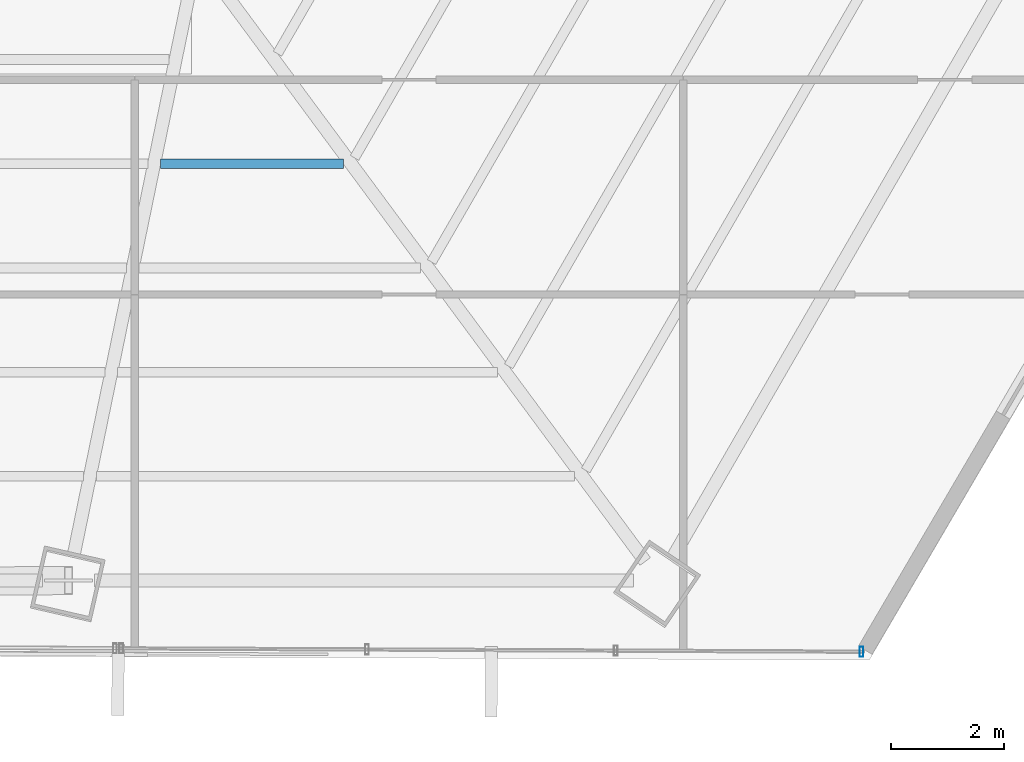
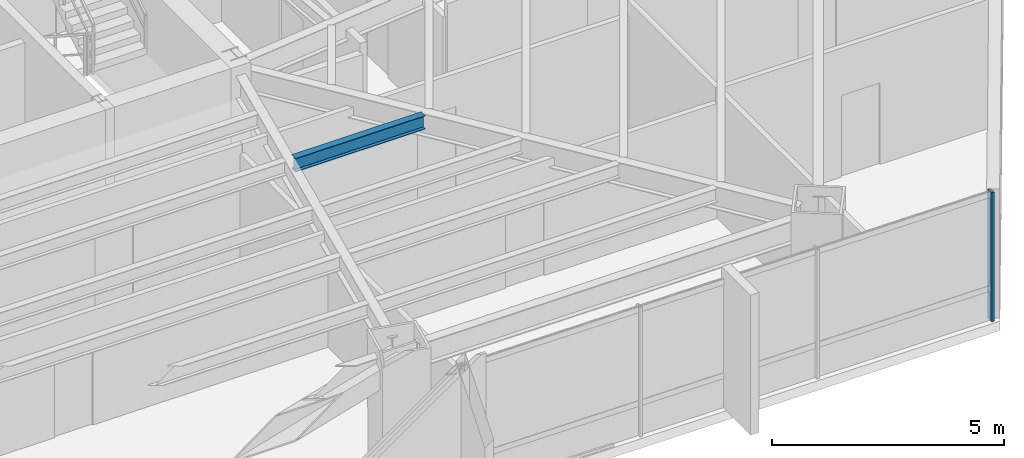
# One storey, part 17 of 37: 1 beam, 1 member, 1 element without a shape of its own.
"""IFC4 building model written with IfcOpenShell, lengths in metres."""

from ifc_helpers import new_model, si_unit, direction, frame, origin, origin_2d, place, context, subcontext, project, spatial, hollow_rectangle, i_section, extrude, source, transform, mapped, material, material_profile, profile_set, type_object, type_shapes, element, aggregate, save


model = new_model("IFC4")

# Units and contexts
model_context = context("Model", 3, precision=1e-05, world=origin(), true_north=direction((0.0, 1.0)))
body_context = subcontext(model_context, "Body", "Model", "MODEL_VIEW")
ifc_project = project(units=[si_unit("LENGTHUNIT", "METRE"), si_unit("AREAUNIT", "SQUARE_METRE"), si_unit("VOLUMEUNIT", "CUBIC_METRE"), si_unit("PLANEANGLEUNIT", "RADIAN"), si_unit("MASSUNIT", "GRAM", prefix="KILO")], contexts=[model_context])

# Site, building, storey
site_placement = place(None, origin())
site = spatial("IfcSite", under=ifc_project, at=site_placement, CompositionType="ELEMENT")
building_placement = place(site_placement, origin())
building = spatial("IfcBuilding", under=site, at=building_placement, Name="Caelisora Broadcast Tower", CompositionType="ELEMENT")
storey_placement = place(building_placement, frame((0.0, 0.0, 101.75)))
storey = spatial("IfcBuildingStorey", under=building, at=storey_placement, Name="L26", CompositionType="ELEMENT", Elevation=101.75)

# Beam
ifc_material_1 = material(Name="Steel Grade 350 (AS/NZS 3679.1)", Category="steel")
ifc_material_profile_1 = material_profile(ifc_material_1, i_section(OverallWidth=0.172119140625, OverallDepth=0.358642578125, WebThickness=0.008056640625, FlangeThickness=0.012939453125, at=origin_2d()), Name="Steel Grade 350 (AS/NZS 3679.1)")
ifc_profile_set_1 = profile_set([ifc_material_profile_1], Name="Steel Grade 350 (AS/NZS 3679.1)")
beam_type = type_object("IfcBeamType", Name="SB02", PredefinedType="JOIST", material=ifc_profile_set_1)
shared_shape_1 = source(origin(), body_context, "Body", "SweptSolid", [
    extrude(i_section(OverallWidth=0.172119140625, OverallDepth=0.358642578125, WebThickness=0.008056640625, FlangeThickness=0.012939453125, at=origin_2d()), origin(), (0.0, 0.0, 1.0), 3.232177734375),
])
type_shapes(beam_type, [shared_shape_1])
beam_placement = place(storey_placement, frame((44.855712890625, 13.713623046875, 3.220703125), z_axis=(1.0, 0.0, 0.0), x_axis=(0.0, 1.0, 0.0)))
element("IfcBeam", 1, at=beam_placement, inside=storey, type_object=beam_type, Name="L26 beam SB02", PredefinedType="JOIST", context=body_context, shape_type="MappedRepresentation", body=[
    mapped(shared_shape_1, transform((0.0, 0.0, 0.0), scale=1.0)),
])

# Curtain wall, member
ifc_material_2 = material(Name="Unitised Aluminium and Low-E Glass Curtain Wall", Category="glass")
curtain_wall_type = type_object("IfcCurtainWallType", Name="CW-Z2", PredefinedType="NOTDEFINED", material=ifc_material_2)
curtain_wall_placement = place(storey_placement, origin())
curtain_wall = element("IfcCurtainWall", 2, at=curtain_wall_placement, inside=storey, type_object=curtain_wall_type, Name="L26 curtain wall CW-Z2", PredefinedType="NOTDEFINED")
ifc_material_3 = material(Name="Aluminium 6063-T6 Anodised Terracotta Bronze", Category="aluminium")
ifc_material_profile_2 = material_profile(ifc_material_3, hollow_rectangle(XDim=0.06494140625, YDim=0.179931640625, WallThickness=0.00341796875, at=origin_2d()), Name="Aluminium 6063-T6 Anodised Terracotta Bronze")
ifc_profile_set_2 = profile_set([ifc_material_profile_2], Name="Aluminium 6063-T6 Anodised Terracotta Bronze")
member_type = type_object("IfcMemberType", Name="CWM-02", PredefinedType="MULLION", material=ifc_profile_set_2)
shared_shape_2 = source(origin(), body_context, "Body", "SweptSolid", [
    extrude(hollow_rectangle(XDim=0.06494140625, YDim=0.179931640625, WallThickness=0.00341796875, at=origin_2d()), origin(), (0.0, 0.0, 1.0), 3.39990234375),
])
type_shapes(member_type, [shared_shape_2])
member_placement = place(storey_placement, frame((57.258056640625, 5.081298828125, 0.0), z_axis=(0.0, 0.0, 1.0), x_axis=(1.0, 0.0, 0.0)))
member = element("IfcMember", 3, at=member_placement, type_object=member_type, Name="L26-CW-B05 mullion #0", PredefinedType="MULLION", context=body_context, shape_type="MappedRepresentation", body=[
    mapped(shared_shape_2, transform((0.0, 0.0, 0.0), scale=1.0)),
])
aggregate(curtain_wall, [member])

save(model, "model.ifc")
